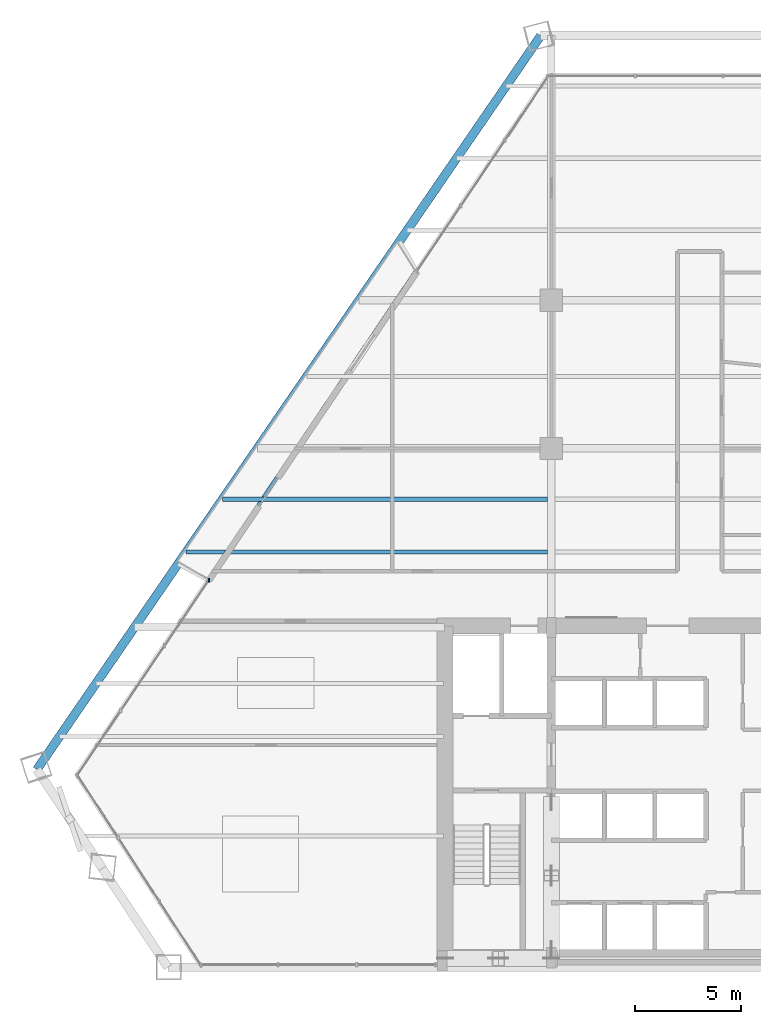
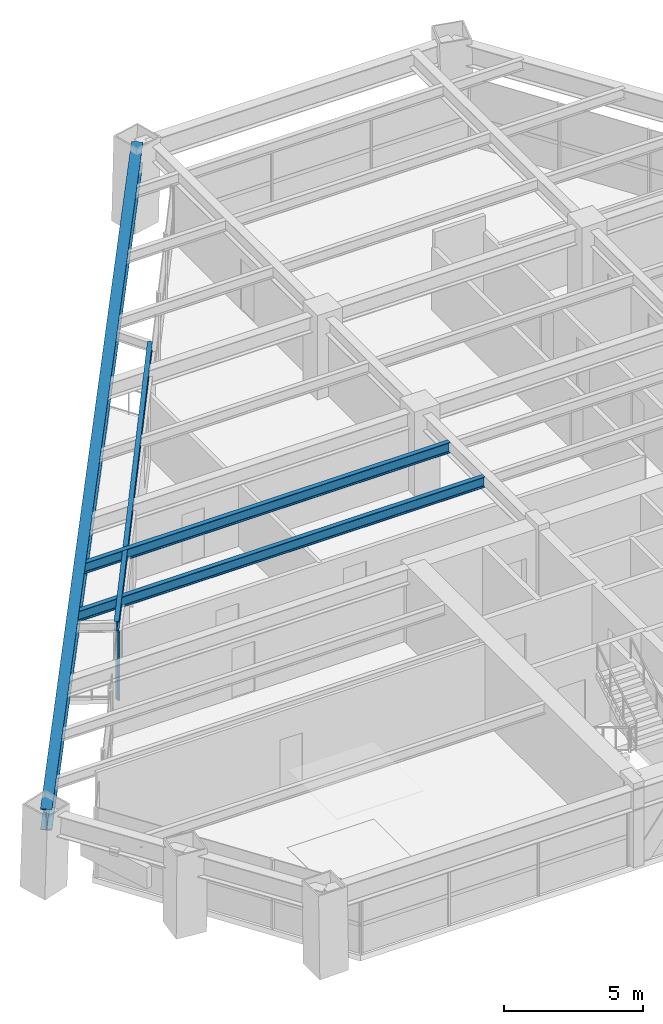
# One storey, part 4 of 14: 4 beams, 1 member, 1 element without a shape of its own.
"""IFC4 building model written with IfcOpenShell, lengths in metres."""

from ifc_helpers import new_model, si_unit, direction, frame, origin, origin_2d, place, context, subcontext, project, spatial, rectangle, i_section, extrude, source, transform, mapped, material, material_profile, profile_set, type_object, type_shapes, element, aggregate, save


model = new_model("IFC4")

# Units and contexts
model_context = context("Model", 3, precision=1e-05, world=origin(), true_north=direction((0.0, 1.0)))
body_context = subcontext(model_context, "Body", "Model", "MODEL_VIEW")
ifc_project = project(units=[si_unit("LENGTHUNIT", "METRE"), si_unit("AREAUNIT", "SQUARE_METRE"), si_unit("VOLUMEUNIT", "CUBIC_METRE"), si_unit("PLANEANGLEUNIT", "RADIAN"), si_unit("MASSUNIT", "GRAM", prefix="KILO")], contexts=[model_context])

# Site, building, storey
site_placement = place(None, origin())
site = spatial("IfcSite", under=ifc_project, at=site_placement, CompositionType="ELEMENT")
building_placement = place(site_placement, origin())
building = spatial("IfcBuilding", under=site, at=building_placement, Name="Varnakhor Terracotta Tower", CompositionType="ELEMENT")
storey_placement = place(building_placement, frame((0.0, 0.0, 91.39990234375)))
storey = spatial("IfcBuildingStorey", under=building, at=storey_placement, Name="L22", CompositionType="ELEMENT", Elevation=91.39990234375)

# Beams
ifc_material_1 = material(Name="Steel S355", Category="steel")
ifc_material_profile_1 = material_profile(ifc_material_1, i_section(OverallWidth=0.41796875, OverallDepth=0.927001953125, WebThickness=0.01904296875, FlangeThickness=0.031982421875, FilletRadius=0.01806640625, at=origin_2d()), Name="W36X231")
ifc_profile_set_1 = profile_set([ifc_material_profile_1], Name="Steel S355")
beam_type_1 = type_object("IfcBeamType", Name="BM-W36X231", PredefinedType="BEAM", material=ifc_profile_set_1)
shared_shape_1 = source(origin(), body_context, "Body", "SweptSolid", [
    extrude(i_section(OverallWidth=0.41796875, OverallDepth=0.927001953125, WebThickness=0.01904296875, FlangeThickness=0.031982421875, FilletRadius=0.01806640625, at=origin_2d()), origin(), (0.0, 0.0, 1.0), 42.030517578125),
])
beam_1_placement = place(storey_placement, frame((-6.00048828125, 43.987060546875, 2.986572265625), z_axis=(-0.566000905091, -0.824404618762, 0.0), x_axis=(0.824404618762, -0.566000905091, 0.0)))
element("IfcBeam", 1, at=beam_1_placement, inside=storey, type_object=beam_type_1, Name="L22 Perimeter Spandrel 6", PredefinedType="BEAM", context=body_context, shape_type="MappedRepresentation", body=[
    mapped(shared_shape_1, transform((0.0, 0.0, 0.0), scale=1.0)),
])
ifc_material_profile_2 = material_profile(ifc_material_1, i_section(OverallWidth=0.179931640625, OverallDepth=0.39990234375, WebThickness=0.008544921875, FlangeThickness=0.013427734375, FilletRadius=0.01806640625, at=origin_2d()), Name="IPE400")
ifc_profile_set_2 = profile_set([ifc_material_profile_2], Name="Steel S355")
beam_type_2 = type_object("IfcBeamType", Name="JST-IPE400", PredefinedType="JOIST", material=ifc_profile_set_2)
shared_shape_2 = source(origin(), body_context, "Body", "SweptSolid", [
    extrude(i_section(OverallWidth=0.179931640625, OverallDepth=0.39990234375, WebThickness=0.008544921875, FlangeThickness=0.013427734375, FilletRadius=0.01806640625, at=origin_2d()), origin(), (0.0, 0.0, 1.0), 17.636962890625),
])
beam_2_placement = place(storey_placement, frame((-11.86669921875, 32.91162109375, 3.25), z_axis=(-0.558059384835, -0.829801014097, 0.0), x_axis=(0.829801014097, -0.558059384835, 0.0)))
element("IfcBeam", 2, at=beam_2_placement, inside=storey, type_object=beam_type_2, Name="L22 Loggia Edge Beam 2", PredefinedType="JOIST", context=body_context, shape_type="MappedRepresentation", body=[
    mapped(shared_shape_2, transform((0.0, 0.0, 0.0), scale=1.0)),
])
ifc_material_profile_3 = material_profile(ifc_material_1, i_section(OverallWidth=0.19189453125, OverallDepth=0.462890625, WebThickness=0.010498046875, FlangeThickness=0.017578125, FilletRadius=0.01806640625, at=origin_2d()), Name="W18X60")
ifc_profile_set_3 = profile_set([ifc_material_profile_3], Name="Steel S355")
beam_type_3 = type_object("IfcBeamType", Name="JST-W18X60", PredefinedType="JOIST", material=ifc_profile_set_3)
shared_shape_3 = source(origin(), body_context, "Body", "SweptSolid", [
    extrude(i_section(OverallWidth=0.19189453125, OverallDepth=0.462890625, WebThickness=0.010498046875, FlangeThickness=0.017578125, FilletRadius=0.01806640625, at=origin_2d()), origin(), (0.0, 0.0, 1.0), 17.070068359375),
])
beam_3_placement = place(storey_placement, frame((-22.74365234375, 19.60009765625, 3.218505859375), z_axis=(1.0, 0.0, 0.0), x_axis=(0.0, 1.0, 0.0)))
element("IfcBeam", 3, at=beam_3_placement, inside=storey, type_object=beam_type_3, Name="L22 Composite Floor Joist 4-1", PredefinedType="JOIST", context=body_context, shape_type="MappedRepresentation", body=[
    mapped(shared_shape_3, transform((0.0, 0.0, 0.0), scale=1.0)),
])
shared_shape_4 = source(origin(), body_context, "Body", "SweptSolid", [
    extrude(i_section(OverallWidth=0.19189453125, OverallDepth=0.462890625, WebThickness=0.010498046875, FlangeThickness=0.017578125, FilletRadius=0.01806640625, at=origin_2d()), origin(), (0.0, 0.0, 1.0), 15.353759765625),
])
beam_4_placement = place(storey_placement, frame((-21.02734375, 22.10009765625, 3.218505859375), z_axis=(1.0, 0.0, 0.0), x_axis=(0.0, 1.0, 0.0)))
element("IfcBeam", 4, at=beam_4_placement, inside=storey, type_object=beam_type_3, Name="L22 Composite Floor Joist 5-1", PredefinedType="JOIST", context=body_context, shape_type="MappedRepresentation", body=[
    mapped(shared_shape_4, transform((0.0, 0.0, 0.0), scale=1.0)),
])

# Curtain wall, member
ifc_material_2 = material(Name="Anodised Aluminium Curtain Wall System", Category="aluminium")
curtain_wall_type = type_object("IfcCurtainWallType", Name="CW-SYS-LOW-OFFICE", PredefinedType="NOTDEFINED", material=ifc_material_2)
curtain_wall_placement = place(storey_placement, origin())
curtain_wall = element("IfcCurtainWall", 5, at=curtain_wall_placement, inside=storey, type_object=curtain_wall_type, Name="L22 W Facet Curtain Wall 1", PredefinedType="NOTDEFINED")
ifc_material_3 = material(Name="Anodised Aluminium 6063-T6", Category="aluminium")
ifc_material_profile_4 = material_profile(ifc_material_3, rectangle(XDim=0.074951171875, YDim=0.18505859375, at=origin_2d()), Name="ALU MULLION 75x185")
ifc_profile_set_4 = profile_set([ifc_material_profile_4], Name="Anodised Aluminium 6063-T6")
member_type = type_object("IfcMemberType", Name="CWM-02", PredefinedType="MULLION", material=ifc_profile_set_4)
shared_shape_5 = source(origin(), body_context, "Body", "SweptSolid", [
    extrude(rectangle(XDim=0.074951171875, YDim=0.18505859375, at=origin_2d()), origin(), (0.0, 0.0, 1.0), 3.030029296875),
])
type_shapes(member_type, [shared_shape_5])
member_placement = place(storey_placement, frame((-21.654296875, 18.278564453125, 0.0), z_axis=(0.0, 0.0, 1.0), x_axis=(1.0, 0.0, 0.0)))
member = element("IfcMember", 6, at=member_placement, type_object=member_type, Name="L22 W Loggia Jamb Closure Mullion 1", PredefinedType="MULLION", context=body_context, shape_type="MappedRepresentation", body=[
    mapped(shared_shape_5, transform((0.0, 0.0, 0.0), scale=1.0)),
])
aggregate(curtain_wall, [member])

save(model, "model.ifc")
